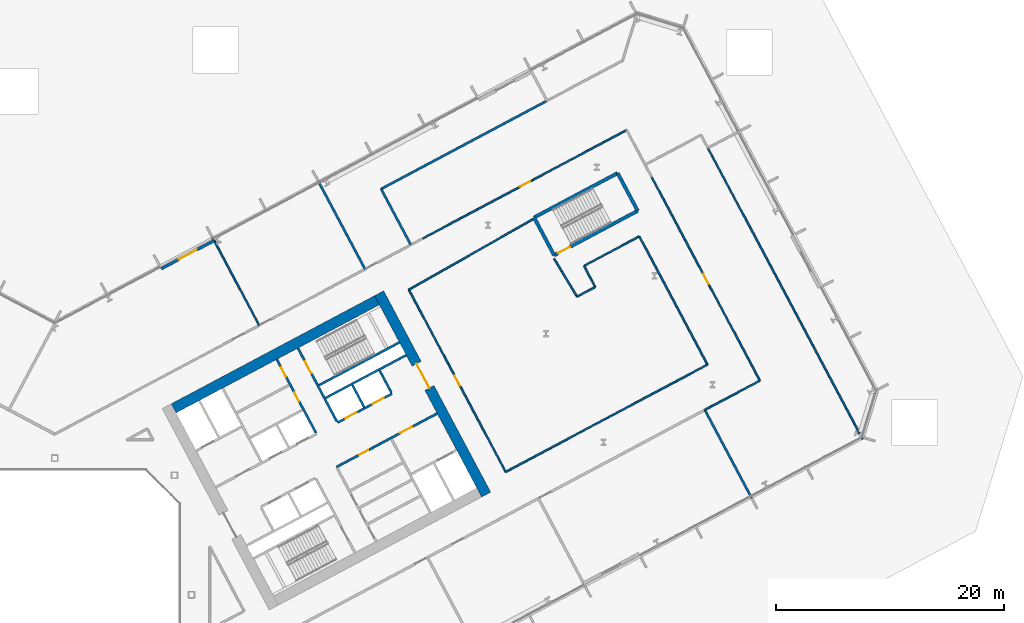
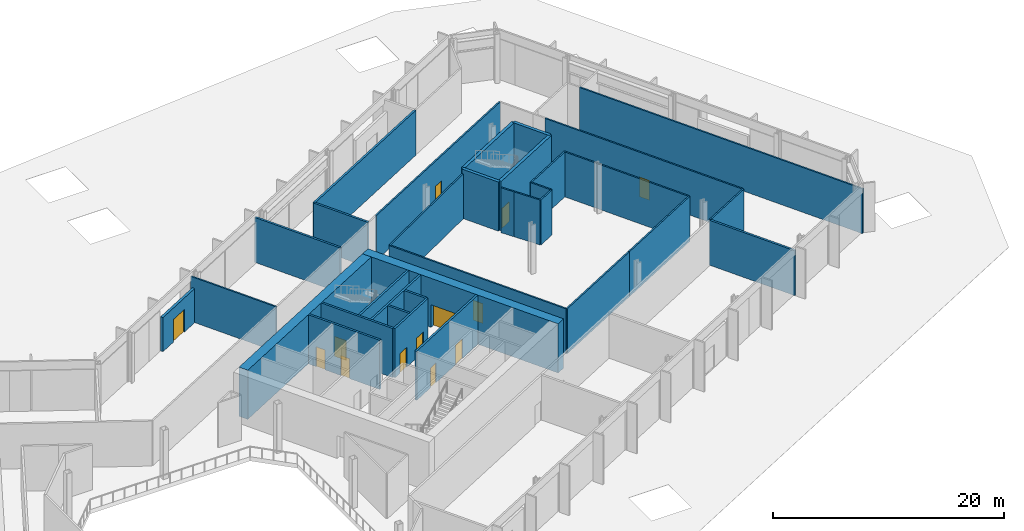
# One storey, part 16 of 30: 34 walls, 13 doors, 13 openings.
"""IFC4 building model written with IfcOpenShell, lengths in metres."""

import ifcopenshell
import ifcopenshell.guid

model = None  # the IFC model being written
_history = None  # IfcOwnerHistory: only IFC2X3 demands one
_inside = {}  # id of a spatial element -> (the spatial element, [elements in it])
_under = {}  # id of a project, library or spatial element -> (it, [spatial elements below it])
_declared = {}  # id of a project -> (the project, [libraries it declares])
_typed = {}  # id of a type object -> (the type object, [elements of that type])
_made_of = {}  # id of a material, layer set ... -> (it, [elements and type objects made of it])


def new_model(schema):
    """Start an empty IFC model of exactly this schema.

    Asked for "IFC4X3", IfcOpenShell would pick the latest addendum, in which some entities
    have other attributes; the version numbers below select the first issue.
    IFC2X3 requires an IfcOwnerHistory on every rooted entity: one is made here for all.
    """
    global model, _history
    if schema == "IFC4X3":
        model = ifcopenshell.file(schema_version=(4, 3, 0, 0))
    else:
        model = ifcopenshell.file(schema=schema)
    _inside.clear()
    _under.clear()
    _declared.clear()
    _typed.clear()
    _made_of.clear()
    _history = None
    if model.schema == "IFC2X3":
        org = make("IfcOrganization", Name="unknown")
        user = make(
            "IfcPersonAndOrganization",
            ThePerson=make("IfcPerson", FamilyName="unknown"),
            TheOrganization=org,
        )
        app = make(
            "IfcApplication",
            ApplicationDeveloper=org,
            Version="unknown",
            ApplicationFullName="unknown",
            ApplicationIdentifier="unknown",
        )
        _history = make(
            "IfcOwnerHistory",
            OwningUser=user,
            OwningApplication=app,
            ChangeAction="ADDED",
            CreationDate=0,
        )
    return model


def make(cls, **values):
    """One entity of the class cls with the attributes given. An attribute that is None is left unset."""
    return model.create_entity(
        cls, **{name: value for name, value in values.items() if value is not None}
    )


def rooted(cls, **values):
    """An entity with a GlobalId (a new one), such as an element, a storey or a relation."""
    return make(cls, GlobalId=ifcopenshell.guid.new(), OwnerHistory=_history, **values)


def si_unit(unit_type, name, prefix=None):
    """IfcSIUnit, for example si_unit("LENGTHUNIT", "METRE", prefix="MILLI")."""
    return make("IfcSIUnit", UnitType=unit_type, Prefix=prefix, Name=name)


def assignment(units):
    """IfcUnitAssignment: the units of a project."""
    return None if units is None else make("IfcUnitAssignment", Units=units)


def point(xyz):
    """IfcCartesianPoint."""
    return None if xyz is None else make("IfcCartesianPoint", Coordinates=xyz)


def direction(xyz):
    """IfcDirection."""
    return None if xyz is None else make("IfcDirection", DirectionRatios=xyz)


def frame(location, z_axis=None, x_axis=None):
    """IfcAxis2Placement3D, a coordinate frame: its origin and axes. An axis left out is left unset."""
    return make(
        "IfcAxis2Placement3D",
        Location=point(location),
        Axis=direction(z_axis),
        RefDirection=direction(x_axis),
    )


def frame_2d(location, x_axis=None):
    """IfcAxis2Placement2D, a coordinate frame in the plane: its origin and x axis."""
    return make(
        "IfcAxis2Placement2D", Location=point(location), RefDirection=direction(x_axis)
    )


def origin():
    """The frame at (0, 0, 0) with its axes left unset."""
    return frame((0.0, 0.0, 0.0))


def place(relative_to, where):
    """IfcLocalPlacement: puts the frame where relative to a parent placement (None: the world)."""
    return make(
        "IfcLocalPlacement", PlacementRelTo=relative_to, RelativePlacement=where
    )


def context(
    kind, dimensions, precision=None, world=None, true_north=None, identifier=None
):
    """IfcGeometricRepresentationContext, for example the 3D "Model" context."""
    return make(
        "IfcGeometricRepresentationContext",
        ContextIdentifier=identifier,
        ContextType=kind,
        CoordinateSpaceDimension=dimensions,
        Precision=precision,
        WorldCoordinateSystem=world,
        TrueNorth=true_north,
    )


def subcontext(parent, identifier, kind, view, scale=None):
    """IfcGeometricRepresentationSubContext, for example "Body" below "Model"."""
    return make(
        "IfcGeometricRepresentationSubContext",
        ContextIdentifier=identifier,
        ContextType=kind,
        ParentContext=parent,
        TargetScale=scale,
        TargetView=view,
    )


def project(units=None, contexts=None):
    """IfcProject with its units and contexts."""
    return rooted(
        "IfcProject",
        Name="project",
        RepresentationContexts=contexts,
        UnitsInContext=assignment(units),
    )


def spatial(cls, under=None, at=None, **own):
    """A site, building, storey or space (cls), placed at a placement, below another one or the project."""
    s = rooted(cls, ObjectPlacement=at, **own)
    if under is not None:
        _under.setdefault(under.id(), (under, []))[1].append(s)
    return s


def profile(cls, at=None, kind="AREA", **sizes):
    """A parametric profile (cls). Its sizes go by their IFC names, for example OverallWidth=200.0."""
    return make(cls, ProfileType=kind, Position=at, **sizes)


def rectangle(**sizes):
    """IfcRectangleProfileDef."""
    return profile("IfcRectangleProfileDef", **sizes)


def extrude(swept, where, along, depth):
    """IfcExtrudedAreaSolid: the profile swept, set in the frame where, extruded along a direction by depth."""
    return make(
        "IfcExtrudedAreaSolid",
        SweptArea=swept,
        Position=where,
        ExtrudedDirection=direction(along),
        Depth=depth,
    )


def shape(context_of_items, identifier, shape_type, items):
    """IfcShapeRepresentation: the items that make up one representation, for example the "Body"."""
    return make(
        "IfcShapeRepresentation",
        ContextOfItems=context_of_items,
        RepresentationIdentifier=identifier,
        RepresentationType=shape_type,
        Items=items,
    )


def material(Name=None, Category=None):
    """IfcMaterial."""
    return make("IfcMaterial", Name=Name, Category=Category)


def layer(
    of_material, thickness, ventilated=None, Name=None, Category=None, Priority=None
):
    """IfcMaterialLayer: one layer of a wall or slab, of a material (None: an air gap)."""
    return make(
        "IfcMaterialLayer",
        Material=of_material,
        LayerThickness=thickness,
        IsVentilated=ventilated,
        Name=Name,
        Category=Category,
        Priority=Priority,
    )


def layer_set(layers, Name=None):
    """IfcMaterialLayerSet."""
    return make("IfcMaterialLayerSet", MaterialLayers=layers, LayerSetName=Name)


def made_of(thing, what):
    """Note that an element or type object is made of a material, layer set ...; save() writes the relation."""
    if what is not None:
        _made_of.setdefault(what.id(), (what, []))[1].append(thing)
    return thing


def type_object(cls, material=None, **own):
    """A type object (cls), such as IfcWallType, which elements share."""
    return made_of(rooted(cls, **own), material)


def element(
    cls,
    number,
    at=None,
    inside=None,
    cuts=None,
    type_object=None,
    material=None,
    context=None,
    identifier="Body",
    shape_type=None,
    held_by="IfcProductDefinitionShape",
    body=None,
    shapes=None,
    **own,
):
    """One element of the class cls, such as IfcWall. Its Tag is "e" and its number.

    at: its placement. inside: the storey or other place that contains it. cuts: it is an
    opening in that element (IfcRelVoidsElement). A single representation is given by context,
    identifier, shape_type and body (its items); several are given by shapes. held_by: the class
    of the entity that holds the representations. save() writes the other relations.
    """
    e = rooted(cls, Tag="e%d" % number, ObjectPlacement=at, **own)
    if body is not None:
        shapes = [shape(context, identifier, shape_type, body)]
    if shapes is not None:
        e.Representation = make(held_by, Representations=shapes)
    if inside is not None:
        _inside.setdefault(inside.id(), (inside, []))[1].append(e)
    if cuts is not None:
        rooted(
            "IfcRelVoidsElement", RelatingBuildingElement=cuts, RelatedOpeningElement=e
        )
    if type_object is not None:
        _typed.setdefault(type_object.id(), (type_object, []))[1].append(e)
    return made_of(e, material)


def fill(opening, filler):
    """IfcRelFillsElement: the door or window that sits in an opening."""
    return rooted(
        "IfcRelFillsElement",
        RelatingOpeningElement=opening,
        RelatedBuildingElement=filler,
    )


def aggregate(whole, parts):
    """IfcRelAggregates: a whole, such as a stair, and the parts it consists of."""
    return rooted("IfcRelAggregates", RelatingObject=whole, RelatedObjects=parts)


def save(model, path):
    """Write the relations noted so far, then the file.

    IfcRelAggregates (storeys below a building ...), IfcRelContainedInSpatialStructure (elements
    in a storey), IfcRelDefinesByType, IfcRelAssociatesMaterial and IfcRelDeclares: one each for
    every whole, place, type object, material and project.
    """
    for whole, parts in _under.values():
        aggregate(whole, parts)
    for where, things in _inside.values():
        rooted(
            "IfcRelContainedInSpatialStructure",
            RelatedElements=things,
            RelatingStructure=where,
        )
    for kind, things in _typed.values():
        rooted("IfcRelDefinesByType", RelatedObjects=things, RelatingType=kind)
    for what, things in _made_of.values():
        rooted("IfcRelAssociatesMaterial", RelatedObjects=things, RelatingMaterial=what)
    for by, libraries in _declared.values():
        rooted("IfcRelDeclares", RelatingContext=by, RelatedDefinitions=libraries)
    model.write(path)


model = new_model("IFC4")

# Units and contexts
model_context = context("Model", 3, precision=1e-05, world=origin(), true_north=direction((0.0, 1.0)))
body_context = subcontext(model_context, "Body", "Model", "MODEL_VIEW")
ifc_project = project(units=[si_unit("LENGTHUNIT", "METRE"), si_unit("AREAUNIT", "SQUARE_METRE"), si_unit("VOLUMEUNIT", "CUBIC_METRE"), si_unit("PLANEANGLEUNIT", "RADIAN"), si_unit("MASSUNIT", "GRAM", prefix="KILO")], contexts=[model_context])

# Site, building, storey
site_placement = place(None, origin())
site = spatial("IfcSite", under=ifc_project, at=site_placement, CompositionType="ELEMENT")
building_placement = place(site_placement, origin())
building = spatial("IfcBuilding", under=site, at=building_placement, Name="Cormorant Relay Tower", CompositionType="ELEMENT")
storey_placement = place(building_placement, frame((0.0, 0.0, 7.0)))
storey = spatial("IfcBuildingStorey", under=building, at=storey_placement, Name="L01", CompositionType="ELEMENT", Elevation=7.0)

# Wall
ifc_material_1 = material(Name="Concrete 40 MPa", Category="concrete")
ifc_layer_1 = layer(ifc_material_1, 0.199951171875)
ifc_layer_set_1 = layer_set([ifc_layer_1], Name="Core internal wall 200")
wall_type_1 = type_object("IfcWallType", Name="Core internal wall 200", PredefinedType="SOLIDWALL", material=ifc_layer_set_1)
wall_1_placement = place(storey_placement, frame((27.144287109375, 16.471435546875, 0.0), z_axis=(0.0, 0.0, 1.0), x_axis=(-0.469401318492, 0.882984938828, 0.0)))
element("IfcWall", 1, at=wall_1_placement, inside=storey, type_object=wall_type_1, Name="L01 core B shaft and room wall", PredefinedType="SOLIDWALL", context=body_context, shape_type="SweptSolid", body=[
    extrude(rectangle(XDim=2.199951171875, YDim=0.199951171875, at=frame_2d((1.10009765625, 0.0))), origin(), (0.0, 0.0, 1.0), 5.199951171875),
])

# Wall, openings, doors
ifc_material_2 = material(Name="Concrete 50 MPa", Category="concrete")
ifc_layer_2 = layer(ifc_material_2, 0.199951171875)
ifc_layer_set_2 = layer_set([ifc_layer_2], Name="Core shaft wall 200")
wall_type_2 = type_object("IfcWallType", Name="Core shaft wall 200", PredefinedType="SHEAR", material=ifc_layer_set_2)
wall_2_placement = place(storey_placement, frame((22.90625, 14.218017578125, 0.0), z_axis=(0.0, 0.0, 1.0), x_axis=(-0.469480409012, 0.88294288918, 0.0)))
wall_2 = element("IfcWall", 2, at=wall_2_placement, inside=storey, type_object=wall_type_2, Name="L01 core B shaft wall", PredefinedType="SHEAR", context=body_context, shape_type="SweptSolid", body=[
    extrude(rectangle(XDim=7.300048828125, YDim=0.199951171875, at=frame_2d((3.64990234375, 0.0))), origin(), (0.0, 0.0, 1.0), 5.199951171875),
])
opening_1_placement = place(wall_2_placement, frame((3.10009765625, 0.0, 0.0)))
opening_1 = element("IfcOpeningElement", 3, at=opening_1_placement, cuts=wall_2, Name="Opening CDD-058", PredefinedType="OPENING", context=body_context, shape_type="SweptSolid", body=[
    extrude(rectangle(XDim=0.89990234375, YDim=2.10009765625, at=frame_2d((0.449951171875, 1.050048828125))), frame((0.0, 0.10986328125, 0.0), z_axis=(0.0, -1.0, 0.0), x_axis=(1.0, 0.0, 0.0)), (0.0, 0.0, 1.0), 0.219970703125),
])
opening_2_placement = place(wall_2_placement, frame((5.60009765625, 0.0, 0.0)))
opening_2 = element("IfcOpeningElement", 4, at=opening_2_placement, cuts=wall_2, Name="Opening CDD-059", PredefinedType="OPENING", context=body_context, shape_type="SweptSolid", body=[
    extrude(rectangle(XDim=0.89990234375, YDim=2.10009765625, at=frame_2d((0.449951171875, 1.050048828125))), frame((0.0, 0.10986328125, 0.0), z_axis=(0.0, -1.0, 0.0), x_axis=(1.0, 0.0, 0.0)), (0.0, 0.0, 1.0), 0.219970703125),
])
ifc_material_3 = material(Name="Steel fire door", Category="steel")
door_type_1 = type_object("IfcDoorType", Name="Core room door 900x2100", OperationType="SINGLE_SWING_LEFT", PredefinedType="DOOR", material=ifc_material_3)
door_1_placement = place(opening_1_placement, origin())
door_1 = element("IfcDoor", 5, at=door_1_placement, inside=storey, type_object=door_type_1, Name="Core room door 900x2100", OperationType="SINGLE_SWING_RIGHT", OverallHeight=2.10009765625, OverallWidth=0.89990234375, PredefinedType="DOOR", context=body_context, shape_type="SweptSolid", body=[
    extrude(rectangle(XDim=0.89990234375, YDim=2.10009765625, at=frame_2d((0.449951171875, 1.050048828125))), frame((0.0, 0.02490234375, 0.0), z_axis=(0.0, -1.0, 0.0), x_axis=(1.0, 0.0, 0.0)), (0.0, 0.0, 1.0), 0.050048828125),
])
fill(opening_1, door_1)
door_2_placement = place(opening_2_placement, origin())
door_2 = element("IfcDoor", 6, at=door_2_placement, inside=storey, type_object=door_type_1, Name="Core room door 900x2100", OperationType="SINGLE_SWING_LEFT", OverallHeight=2.10009765625, OverallWidth=0.89990234375, PredefinedType="DOOR", context=body_context, shape_type="SweptSolid", body=[
    extrude(rectangle(XDim=0.89990234375, YDim=2.10009765625, at=frame_2d((0.449951171875, 1.050048828125))), frame((0.0, 0.02490234375, 0.0), z_axis=(0.0, -1.0, 0.0), x_axis=(1.0, 0.0, 0.0)), (0.0, 0.0, 1.0), 0.050048828125),
])
fill(opening_2, door_2)

# Wall, opening, door
wall_3_placement = place(storey_placement, frame((24.760498046875, 15.2041015625, 0.0), z_axis=(0.0, 0.0, 1.0), x_axis=(-0.469494272526, 0.882935517501, 0.0)))
wall_3 = element("IfcWall", 7, at=wall_3_placement, inside=storey, type_object=wall_type_2, Name="L01 core B shaft wall", PredefinedType="SHEAR", context=body_context, shape_type="SweptSolid", body=[
    extrude(rectangle(XDim=7.2998046875, YDim=0.199951171875, at=frame_2d((3.64990234375, 0.0))), origin(), (0.0, 0.0, 1.0), 5.199951171875),
])
opening_3_placement = place(wall_3_placement, frame((4.800048828125, 0.0, 0.0)))
opening_3 = element("IfcOpeningElement", 8, at=opening_3_placement, cuts=wall_3, Name="Opening CDB-017", PredefinedType="OPENING", context=body_context, shape_type="SweptSolid", body=[
    extrude(rectangle(XDim=1.199951171875, YDim=2.10009765625, at=frame_2d((0.60009765625, 1.050048828125))), frame((0.0, 0.10986328125, 0.0), z_axis=(0.0, -1.0, 0.0), x_axis=(1.0, 0.0, 0.0)), (0.0, 0.0, 1.0), 0.219970703125),
])
ifc_material_4 = material(Name="Steel fire door", Category="steel")
door_type_2 = type_object("IfcDoorType", Name="Core stair door 1200x2100", OperationType="SINGLE_SWING_LEFT", PredefinedType="DOOR", material=ifc_material_4)
door_3_placement = place(opening_3_placement, frame((1.199951171875, 0.0, 0.0), z_axis=(0.0, 0.0, 1.0), x_axis=(-1.0, 0.0, 0.0)))
door_3 = element("IfcDoor", 9, at=door_3_placement, inside=storey, type_object=door_type_2, Name="Core stair door 1200x2100", OperationType="SINGLE_SWING_RIGHT", OverallHeight=2.10009765625, OverallWidth=1.199951171875, PredefinedType="DOOR", context=body_context, shape_type="SweptSolid", body=[
    extrude(rectangle(XDim=1.199951171875, YDim=2.10009765625, at=frame_2d((0.60009765625, 1.050048828125))), frame((0.0, 0.02490234375, 0.0), z_axis=(0.0, -1.0, 0.0), x_axis=(1.0, 0.0, 0.0)), (0.0, 0.0, 1.0), 0.050048828125),
])
fill(opening_3, door_3)

# Wall
wall_4_placement = place(storey_placement, frame((29.5283203125, 17.739013671875, 0.0), z_axis=(0.0, 0.0, 1.0), x_axis=(-0.469401318492, 0.882984938828, 0.0)))
element("IfcWall", 10, at=wall_4_placement, inside=storey, type_object=wall_type_2, Name="L01 core B shaft wall", PredefinedType="SHEAR", context=body_context, shape_type="SweptSolid", body=[
    extrude(rectangle(XDim=2.199951171875, YDim=0.199951171875, at=frame_2d((1.10009765625, 0.0))), origin(), (0.0, 0.0, 1.0), 5.199951171875),
])

# Wall, openings, doors
wall_5_placement = place(storey_placement, frame((24.72607421875, 11.2216796875, 0.0), z_axis=(0.0, 0.0, 1.0), x_axis=(0.882940221191, 0.469485426614, 0.0)))
wall_5 = element("IfcWall", 11, at=wall_5_placement, inside=storey, type_object=wall_type_2, Name="L01 core B shaft wall", PredefinedType="SHEAR", context=body_context, shape_type="SweptSolid", body=[
    extrude(rectangle(XDim=10.0, YDim=0.199951171875, at=frame_2d((5.0, 0.0))), origin(), (0.0, 0.0, 1.0), 5.199951171875),
])
opening_4_placement = place(wall_5_placement, frame((6.300048828125, 0.0, 0.0)))
opening_4 = element("IfcOpeningElement", 12, at=opening_4_placement, cuts=wall_5, Name="Opening CDC-012", PredefinedType="OPENING", context=body_context, shape_type="SweptSolid", body=[
    extrude(rectangle(XDim=1.199951171875, YDim=2.10009765625, at=frame_2d((0.60009765625, 1.050048828125))), frame((0.0, 0.10986328125, 0.0), z_axis=(0.0, -1.0, 0.0), x_axis=(1.0, 0.0, 0.0)), (0.0, 0.0, 1.0), 0.219970703125),
])
opening_5_placement = place(wall_5_placement, frame((2.25, 0.0, 0.0)))
opening_5 = element("IfcOpeningElement", 13, at=opening_5_placement, cuts=wall_5, Name="Opening CDD-057", PredefinedType="OPENING", context=body_context, shape_type="SweptSolid", body=[
    extrude(rectangle(XDim=0.89990234375, YDim=2.10009765625, at=frame_2d((0.449951171875, 1.050048828125))), frame((0.0, 0.10986328125, 0.0), z_axis=(0.0, -1.0, 0.0), x_axis=(1.0, 0.0, 0.0)), (0.0, 0.0, 1.0), 0.219970703125),
])
ifc_material_5 = material(Name="Steel fire door", Category="steel")
door_type_3 = type_object("IfcDoorType", Name="Core lobby door 1200x2100", OperationType="SINGLE_SWING_LEFT", PredefinedType="DOOR", material=ifc_material_5)
door_4_placement = place(opening_4_placement, frame((1.199951171875, 0.0, 0.0), z_axis=(0.0, 0.0, 1.0), x_axis=(-1.0, 0.0, 0.0)))
door_4 = element("IfcDoor", 14, at=door_4_placement, inside=storey, type_object=door_type_3, Name="Core lobby door 1200x2100", OperationType="SINGLE_SWING_RIGHT", OverallHeight=2.10009765625, OverallWidth=1.199951171875, PredefinedType="DOOR", context=body_context, shape_type="SweptSolid", body=[
    extrude(rectangle(XDim=1.199951171875, YDim=2.10009765625, at=frame_2d((0.60009765625, 1.050048828125))), frame((0.0, 0.02490234375, 0.0), z_axis=(0.0, -1.0, 0.0), x_axis=(1.0, 0.0, 0.0)), (0.0, 0.0, 1.0), 0.050048828125),
])
fill(opening_4, door_4)
door_5_placement = place(opening_5_placement, frame((0.89990234375, 0.0, 0.0), z_axis=(0.0, 0.0, 1.0), x_axis=(-1.0, 0.0, 0.0)))
door_5 = element("IfcDoor", 15, at=door_5_placement, inside=storey, type_object=door_type_1, Name="Core room door 900x2100", OperationType="SINGLE_SWING_RIGHT", OverallHeight=2.10009765625, OverallWidth=0.89990234375, PredefinedType="DOOR", context=body_context, shape_type="SweptSolid", body=[
    extrude(rectangle(XDim=0.89990234375, YDim=2.10009765625, at=frame_2d((0.449951171875, 1.050048828125))), frame((0.0, 0.02490234375, 0.0), z_axis=(0.0, -1.0, 0.0), x_axis=(1.0, 0.0, 0.0)), (0.0, 0.0, 1.0), 0.050048828125),
])
fill(opening_5, door_5)

wall_6_placement = place(storey_placement, frame((24.807373046875, 15.11572265625, 0.0), z_axis=(0.0, 0.0, 1.0), x_axis=(0.882942972946, 0.469480251476, 0.0)))
wall_6 = element("IfcWall", 16, at=wall_6_placement, inside=storey, type_object=wall_type_2, Name="L01 core B shaft wall", PredefinedType="SHEAR", context=body_context, shape_type="SweptSolid", body=[
    extrude(rectangle(XDim=5.39990234375, YDim=0.199951171875, at=frame_2d((2.699951171875, 0.0))), origin(), (0.0, 0.0, 1.0), 5.199951171875),
])
opening_6_placement = place(wall_6_placement, frame((0.800048828125, 0.0, 0.0)))
opening_6 = element("IfcOpeningElement", 17, at=opening_6_placement, cuts=wall_6, Name="Opening LD1-014", PredefinedType="OPENING", context=body_context, shape_type="SweptSolid", body=[
    extrude(rectangle(XDim=1.10009765625, YDim=2.10009765625, at=frame_2d((0.550048828125, 1.050048828125))), frame((0.0, 0.10986328125, 0.0), z_axis=(0.0, -1.0, 0.0), x_axis=(1.0, 0.0, 0.0)), (0.0, 0.0, 1.0), 0.219970703125),
])
opening_7_placement = place(wall_6_placement, frame((3.5, 0.0, 0.0)))
opening_7 = element("IfcOpeningElement", 18, at=opening_7_placement, cuts=wall_6, Name="Opening LD1-015", PredefinedType="OPENING", context=body_context, shape_type="SweptSolid", body=[
    extrude(rectangle(XDim=1.10009765625, YDim=2.10009765625, at=frame_2d((0.550048828125, 1.050048828125))), frame((0.0, 0.10986328125, 0.0), z_axis=(0.0, -1.0, 0.0), x_axis=(1.0, 0.0, 0.0)), (0.0, 0.0, 1.0), 0.219970703125),
])
ifc_material_6 = material(Name="Stainless steel 316", Category="steel")
door_type_4 = type_object("IfcDoorType", Name="Lift landing door 1100x2100", OperationType="DOUBLE_DOOR_SLIDING", PredefinedType="DOOR", material=ifc_material_6)
door_6_placement = place(opening_6_placement, origin())
door_6 = element("IfcDoor", 19, at=door_6_placement, inside=storey, type_object=door_type_4, Name="LR3 landing door", OperationType="DOUBLE_DOOR_SLIDING", OverallHeight=2.10009765625, OverallWidth=1.10009765625, PredefinedType="DOOR", context=body_context, shape_type="SweptSolid", body=[
    extrude(rectangle(XDim=1.10009765625, YDim=2.10009765625, at=frame_2d((0.550048828125, 1.050048828125))), frame((0.0, 0.02490234375, 0.0), z_axis=(0.0, -1.0, 0.0), x_axis=(1.0, 0.0, 0.0)), (0.0, 0.0, 1.0), 0.050048828125),
])
fill(opening_6, door_6)
door_7_placement = place(opening_7_placement, origin())
door_7 = element("IfcDoor", 20, at=door_7_placement, inside=storey, type_object=door_type_4, Name="LR4 landing door", OperationType="DOUBLE_DOOR_SLIDING", OverallHeight=2.10009765625, OverallWidth=1.10009765625, PredefinedType="DOOR", context=body_context, shape_type="SweptSolid", body=[
    extrude(rectangle(XDim=1.10009765625, YDim=2.10009765625, at=frame_2d((0.550048828125, 1.050048828125))), frame((0.0, 0.02490234375, 0.0), z_axis=(0.0, -1.0, 0.0), x_axis=(1.0, 0.0, 0.0)), (0.0, 0.0, 1.0), 0.050048828125),
])
fill(opening_7, door_7)

# Walls
wall_7_placement = place(storey_placement, frame((23.76904296875, 17.28173828125, 0.0), z_axis=(0.0, 0.0, 1.0), x_axis=(0.882940221191, 0.469485426614, 0.0)))
element("IfcWall", 21, at=wall_7_placement, inside=storey, type_object=wall_type_2, Name="L01 core B shaft wall", PredefinedType="SHEAR", context=body_context, shape_type="SweptSolid", body=[
    extrude(rectangle(XDim=8.0, YDim=0.199951171875, at=frame_2d((4.0, 0.0))), origin(), (0.0, 0.0, 1.0), 5.199951171875),
])
wall_8_placement = place(storey_placement, frame((23.18212890625, 18.385498046875, 0.0), z_axis=(0.0, 0.0, 1.0), x_axis=(0.88295287151, 0.469461634952, 0.0)))
element("IfcWall", 22, at=wall_8_placement, inside=storey, type_object=wall_type_2, Name="L01 core B shaft wall", PredefinedType="SHEAR", context=body_context, shape_type="SweptSolid", body=[
    extrude(rectangle(XDim=7.999755859375, YDim=0.199951171875, at=frame_2d((4.0, 0.0))), origin(), (0.0, 0.0, 1.0), 5.199951171875),
])

# Wall, opening, door
ifc_material_7 = material(Name="Concrete 70 MPa", Category="concrete")
ifc_layer_3 = layer(ifc_material_7, 0.89990234375)
ifc_layer_set_3 = layer_set([ifc_layer_3], Name="Core wall 900")
wall_type_3 = type_object("IfcWallType", Name="Core wall 900", PredefinedType="SHEAR", material=ifc_layer_set_3)
wall_9_placement = place(storey_placement, frame((37.849365234375, 8.799072265625, 0.0), z_axis=(0.0, 0.0, 1.0), x_axis=(-0.469465789982, 0.882950662289, 0.0)))
wall_9 = element("IfcWall", 23, at=wall_9_placement, inside=storey, type_object=wall_type_3, Name="L01 core B wall", PredefinedType="SHEAR", context=body_context, shape_type="SweptSolid", body=[
    extrude(rectangle(XDim=20.000244140625, YDim=0.89990234375, at=frame_2d((10.0, 0.0))), origin(), (0.0, 0.0, 1.0), 5.199951171875),
])
opening_8_placement = place(wall_9_placement, frame((10.60009765625, 0.0, 0.0)))
opening_8 = element("IfcOpeningElement", 24, at=opening_8_placement, cuts=wall_9, Name="Opening CDA-012", PredefinedType="OPENING", context=body_context, shape_type="SweptSolid", body=[
    extrude(rectangle(XDim=2.39990234375, YDim=2.39990234375, at=frame_2d((1.199951171875, 1.199951171875))), frame((0.0, 0.4599609375, 0.0), z_axis=(0.0, -1.0, 0.0), x_axis=(1.0, 0.0, 0.0)), (0.0, 0.0, 1.0), 0.919921875),
])
ifc_material_8 = material(Name="Steel fire door", Category="steel")
door_type_5 = type_object("IfcDoorType", Name="Core lobby door 2400x2400", OperationType="DOUBLE_DOOR_SINGLE_SWING", PredefinedType="DOOR", material=ifc_material_8)
door_8_placement = place(opening_8_placement, origin())
door_8 = element("IfcDoor", 25, at=door_8_placement, inside=storey, type_object=door_type_5, Name="Core lobby door 2400x2400", OperationType="DOUBLE_DOOR_SINGLE_SWING", OverallHeight=2.39990234375, OverallWidth=2.39990234375, PredefinedType="DOOR", context=body_context, shape_type="SweptSolid", body=[
    extrude(rectangle(XDim=2.39990234375, YDim=2.39990234375, at=frame_2d((1.199951171875, 1.199951171875))), frame((0.0, 0.02490234375, 0.0), z_axis=(0.0, -1.0, 0.0), x_axis=(1.0, 0.0, 0.0)), (0.0, 0.0, 1.0), 0.050048828125),
])
fill(opening_8, door_8)

# Walls
wall_10_placement = place(storey_placement, frame((10.4384765625, 16.3662109375, 0.0), z_axis=(0.0, 0.0, 1.0), x_axis=(0.88294509198, 0.469476266226, 0.0)))
element("IfcWall", 26, at=wall_10_placement, inside=storey, type_object=wall_type_3, Name="L01 core B wall", PredefinedType="SHEAR", context=body_context, shape_type="SweptSolid", body=[
    extrude(rectangle(XDim=20.199951171875, YDim=0.89990234375, at=frame_2d((10.10009765625, 0.0))), origin(), (0.0, 0.0, 1.0), 5.199951171875),
])
ifc_material_9 = material(Name="Fire-rated gypsum board partition")
ifc_layer_4 = layer(ifc_material_9, 0.199951171875)
ifc_layer_set_4 = layer_set([ifc_layer_4], Name="Fire-rated gypsum partition 200")
wall_type_4 = type_object("IfcWallType", Name="Fire-rated gypsum partition 200", PredefinedType="PARTITIONING", material=ifc_layer_set_4)
wall_11_placement = place(storey_placement, frame((23.116943359375, 36.302001953125, 0.0), z_axis=(0.0, 0.0, 1.0), x_axis=(0.469482945701, -0.882941540361, 0.0)))
element("IfcWall", 27, at=wall_11_placement, inside=storey, type_object=wall_type_4, Name="wall/L01/part/58", PredefinedType="PARTITIONING", context=body_context, shape_type="SweptSolid", body=[
    extrude(rectangle(XDim=8.75048828125, YDim=0.199951171875, at=frame_2d((4.375244140625, 0.0))), origin(), (0.0, 0.0, 1.0), 4.75),
])
wall_12_placement = place(storey_placement, frame((31.22998046875, 30.72607421875, 0.0), z_axis=(0.0, 0.0, 1.0), x_axis=(-0.469403649121, 0.882983699845, 0.0)))
element("IfcWall", 28, at=wall_12_placement, inside=storey, type_object=wall_type_4, Name="wall/L01/part/59", PredefinedType="PARTITIONING", context=body_context, shape_type="SweptSolid", body=[
    extrude(rectangle(XDim=5.532470703125, YDim=0.199951171875, at=frame_2d((2.76611328125, 0.0))), origin(), (0.0, 0.0, 1.0), 4.75),
])
wall_13_placement = place(storey_placement, frame((28.633056640625, 35.611083984375, 0.0), z_axis=(0.0, 0.0, 1.0), x_axis=(0.882947109015, 0.469472472762, 0.0)))
element("IfcWall", 29, at=wall_13_placement, inside=storey, type_object=wall_type_4, Name="wall/L01/part/60", PredefinedType="PARTITIONING", context=body_context, shape_type="SweptSolid", body=[
    extrude(rectangle(XDim=16.484375, YDim=0.199951171875, at=frame_2d((8.2421875, 0.0))), origin(), (0.0, 0.0, 1.0), 4.75),
])
wall_14_placement = place(storey_placement, frame((57.033935546875, 16.22509765625, 0.0), z_axis=(0.0, 0.0, 1.0), x_axis=(0.469482945701, -0.882941540361, 0.0)))
element("IfcWall", 30, at=wall_14_placement, inside=storey, type_object=wall_type_4, Name="wall/L01/part/74", PredefinedType="PARTITIONING", context=body_context, shape_type="SweptSolid", body=[
    extrude(rectangle(XDim=8.75048828125, YDim=0.199951171875, at=frame_2d((4.375244140625, 0.0))), origin(), (0.0, 0.0, 1.0), 4.75),
])

# Wall, opening, door
ifc_material_10 = material(Name="Bronze anodised aluminium cladding on steel stud", Category="steel")
ifc_layer_5 = layer(ifc_material_10, 0.25)
ifc_layer_set_5 = layer_set([ifc_layer_5], Name="Garden entrance wall 250")
wall_type_5 = type_object("IfcWallType", Name="Garden entrance wall 250", PredefinedType="STANDARD", material=ifc_layer_set_5)
wall_15_placement = place(storey_placement, frame((13.9853515625, 31.07861328125, 0.0), z_axis=(0.0, 0.0, 1.0), x_axis=(-0.88293709965, -0.469491297111, 0.0)))
wall_15 = element("IfcWall", 31, at=wall_15_placement, inside=storey, type_object=wall_type_5, Name="Garden entrance wall", PredefinedType="STANDARD", context=body_context, shape_type="SweptSolid", body=[
    extrude(rectangle(XDim=5.2578125, YDim=0.25, at=frame_2d((2.62890625, 0.0))), origin(), (0.0, 0.0, 1.0), 3.612060546875),
])
opening_9_placement = place(wall_15_placement, frame((1.728759765625, 0.0, 0.0)))
opening_9 = element("IfcOpeningElement", 32, at=opening_9_placement, cuts=wall_15, Name="Opening PD7-005", PredefinedType="OPENING", context=body_context, shape_type="SweptSolid", body=[
    extrude(rectangle(XDim=1.800048828125, YDim=2.39990234375, at=frame_2d((0.89990234375, 1.199951171875))), frame((0.0, 0.135009765625, 0.0), z_axis=(0.0, -1.0, 0.0), x_axis=(1.0, 0.0, 0.0)), (0.0, 0.0, 1.0), 0.27001953125),
])
ifc_material_11 = material(Name="Bronze framed glass door", Category="glass")
door_type_6 = type_object("IfcDoorType", Name="Door garden glazed 1800", OperationType="DOUBLE_DOOR_SINGLE_SWING", PredefinedType="DOOR", material=ifc_material_11)
door_9_placement = place(opening_9_placement, frame((1.800048828125, 0.0, 0.0), z_axis=(0.0, 0.0, 1.0), x_axis=(-1.0, 0.0, 0.0)))
door_9 = element("IfcDoor", 33, at=door_9_placement, inside=storey, type_object=door_type_6, Name="Garden door", OperationType="DOUBLE_DOOR_SINGLE_SWING", OverallHeight=2.39990234375, OverallWidth=1.800048828125, PredefinedType="DOOR", context=body_context, shape_type="SweptSolid", body=[
    extrude(rectangle(XDim=1.800048828125, YDim=2.39990234375, at=frame_2d((0.89990234375, 1.199951171875))), frame((0.0, 0.02490234375, 0.0), z_axis=(0.0, -1.0, 0.0), x_axis=(1.0, 0.0, 0.0)), (0.0, 0.0, 1.0), 0.050048828125),
])
fill(opening_9, door_9)

# Wall
ifc_material_12 = material(Name="Gypsum board partition")
ifc_layer_6 = layer(ifc_material_12, 0.14990234375)
ifc_layer_set_6 = layer_set([ifc_layer_6], Name="Gypsum board partition 150")
wall_type_6 = type_object("IfcWallType", Name="Gypsum board partition 150", PredefinedType="PARTITIONING", material=ifc_layer_set_6)
wall_16_placement = place(storey_placement, frame((13.833984375, 31.365966796875, 0.0), z_axis=(0.0, 0.0, 1.0), x_axis=(0.469374180568, -0.882999365014, 0.0)))
element("IfcWall", 34, at=wall_16_placement, inside=storey, type_object=wall_type_6, Name="wall/L01/part/49", PredefinedType="PARTITIONING", context=body_context, shape_type="SweptSolid", body=[
    extrude(rectangle(XDim=8.749755859375, YDim=0.14990234375, at=frame_2d((4.375, 0.0))), origin(), (0.0, 0.0, 1.0), 4.75),
])

# Wall, opening, door
wall_17_placement = place(storey_placement, frame((32.30810546875, 31.279052734375, 0.0), z_axis=(0.0, 0.0, 1.0), x_axis=(0.882939951573, 0.469485933673, 0.0)))
wall_17 = element("IfcWall", 35, at=wall_17_placement, inside=storey, type_object=wall_type_6, Name="wall/L01/part/61", PredefinedType="PARTITIONING", context=body_context, shape_type="SweptSolid", body=[
    extrude(rectangle(XDim=20.239013671875, YDim=0.14990234375, at=frame_2d((10.11962890625, 0.0))), origin(), (0.0, 0.0, 1.0), 4.75),
])
opening_10_placement = place(wall_17_placement, frame((9.64990234375, 0.0, 0.0)))
opening_10 = element("IfcOpeningElement", 36, at=opening_10_placement, cuts=wall_17, Name="Opening D1-009", PredefinedType="OPENING", context=body_context, shape_type="SweptSolid", body=[
    extrude(rectangle(XDim=1.0, YDim=2.10009765625, at=frame_2d((0.5, 1.050048828125))), frame((0.0, 0.0849609375, 0.0), z_axis=(0.0, -1.0, 0.0), x_axis=(1.0, 0.0, 0.0)), (0.0, 0.0, 1.0), 0.169921875),
])
ifc_material_13 = material(Name="Painted steel door", Category="steel")
door_type_7 = type_object("IfcDoorType", Name="Single door 1000 x 2100", OperationType="SINGLE_SWING_LEFT", PredefinedType="DOOR", material=ifc_material_13)
door_10_placement = place(opening_10_placement, origin())
door_10 = element("IfcDoor", 37, at=door_10_placement, inside=storey, type_object=door_type_7, Name="door/L01/8", OperationType="SINGLE_SWING_LEFT", OverallHeight=2.10009765625, OverallWidth=1.0, PredefinedType="DOOR", context=body_context, shape_type="SweptSolid", body=[
    extrude(rectangle(XDim=1.0, YDim=2.10009765625, at=frame_2d((0.5, 1.050048828125))), frame((0.0, 0.02490234375, 0.0), z_axis=(0.0, -1.0, 0.0), x_axis=(1.0, 0.0, 0.0)), (0.0, 0.0, 1.0), 0.050048828125),
])
fill(opening_10, door_10)

# Wall
wall_18_placement = place(storey_placement, frame((48.541015625, 15.56005859375, 0.0), z_axis=(0.0, 0.0, 1.0), x_axis=(-0.882933406877, -0.469498241765, 0.0)))
element("IfcWall", 38, at=wall_18_placement, inside=storey, type_object=wall_type_6, Name="wall/L01/part/65", PredefinedType="PARTITIONING", context=body_context, shape_type="SweptSolid", body=[
    extrude(rectangle(XDim=10.1640625, YDim=0.14990234375, at=frame_2d((5.08203125, 0.0))), origin(), (0.0, 0.0, 1.0), 4.75),
])

# Wall, opening, door
wall_19_placement = place(storey_placement, frame((39.56689453125, 10.7880859375, 0.0), z_axis=(0.0, 0.0, 1.0), x_axis=(-0.469474056812, 0.882946266757, 0.0)))
wall_19 = element("IfcWall", 39, at=wall_19_placement, inside=storey, type_object=wall_type_6, Name="wall/L01/part/66", PredefinedType="PARTITIONING", context=body_context, shape_type="SweptSolid", body=[
    extrude(rectangle(XDim=18.1005859375, YDim=0.14990234375, at=frame_2d((9.05029296875, 0.0))), origin(), (0.0, 0.0, 1.0), 4.75),
])
opening_11_placement = place(wall_19_placement, frame((8.550048828125, 0.0, 0.0)))
opening_11 = element("IfcOpeningElement", 40, at=opening_11_placement, cuts=wall_19, Name="Opening D1-007", PredefinedType="OPENING", context=body_context, shape_type="SweptSolid", body=[
    extrude(rectangle(XDim=1.0, YDim=2.10009765625, at=frame_2d((0.5, 1.050048828125))), frame((0.0, 0.0849609375, 0.0), z_axis=(0.0, -1.0, 0.0), x_axis=(1.0, 0.0, 0.0)), (0.0, 0.0, 1.0), 0.169921875),
])
door_11_placement = place(opening_11_placement, origin())
door_11 = element("IfcDoor", 41, at=door_11_placement, inside=storey, type_object=door_type_7, Name="door/L01/22", OperationType="SINGLE_SWING_RIGHT", OverallHeight=2.10009765625, OverallWidth=1.0, PredefinedType="DOOR", context=body_context, shape_type="SweptSolid", body=[
    extrude(rectangle(XDim=1.0, YDim=2.10009765625, at=frame_2d((0.5, 1.050048828125))), frame((0.0, 0.02490234375, 0.0), z_axis=(0.0, -1.0, 0.0), x_axis=(1.0, 0.0, 0.0)), (0.0, 0.0, 1.0), 0.050048828125),
])
fill(opening_11, door_11)

# Walls
wall_20_placement = place(storey_placement, frame((31.069091796875, 26.77001953125, 0.0), z_axis=(0.0, 0.0, 1.0), x_axis=(0.86954617394, 0.493851649168, 0.0)))
element("IfcWall", 42, at=wall_20_placement, inside=storey, type_object=wall_type_6, Name="wall/L01/part/67", PredefinedType="PARTITIONING", context=body_context, shape_type="SweptSolid", body=[
    extrude(rectangle(XDim=12.55029296875, YDim=0.14990234375, at=frame_2d((6.275146484375, 0.0))), origin(), (0.0, 0.0, 1.0), 4.75),
])
wall_21_placement = place(storey_placement, frame((43.81591796875, 29.490966796875, 0.0), z_axis=(0.0, 0.0, 1.0), x_axis=(0.518473208291, -0.855093873376, 0.0)))
element("IfcWall", 43, at=wall_21_placement, inside=storey, type_object=wall_type_6, Name="wall/L01/part/71", PredefinedType="PARTITIONING", context=body_context, shape_type="SweptSolid", body=[
    extrude(rectangle(XDim=1.324951171875, YDim=0.14990234375, at=frame_2d((0.66259765625, 0.0))), origin(), (0.0, 0.0, 1.0), 4.75),
])
wall_22_placement = place(storey_placement, frame((45.8310546875, 26.1669921875, 0.0), z_axis=(0.0, 0.0, 1.0), x_axis=(-0.518386189645, 0.855146629757, 0.0)))
element("IfcWall", 44, at=wall_22_placement, inside=storey, type_object=wall_type_6, Name="wall/L01/part/72", PredefinedType="PARTITIONING", context=body_context, shape_type="SweptSolid", body=[
    extrude(rectangle(XDim=2.56201171875, YDim=0.14990234375, at=frame_2d((1.281005859375, 0.0))), origin(), (0.0, 0.0, 1.0), 4.75),
])
wall_23_placement = place(storey_placement, frame((47.419921875, 27.011962890625, 0.0), z_axis=(0.0, 0.0, 1.0), x_axis=(-0.882911879422, -0.469538723829, 0.0)))
element("IfcWall", 45, at=wall_23_placement, inside=storey, type_object=wall_type_6, Name="wall/L01/part/73", PredefinedType="PARTITIONING", context=body_context, shape_type="SweptSolid", body=[
    extrude(rectangle(XDim=1.799560546875, YDim=0.14990234375, at=frame_2d((0.89990234375, 0.0))), origin(), (0.0, 0.0, 1.0), 4.75),
])
wall_24_placement = place(storey_placement, frame((46.43408203125, 28.865966796875, 0.0), z_axis=(0.0, 0.0, 1.0), x_axis=(0.882942083458, 0.469481924316, 0.0)))
element("IfcWall", 46, at=wall_24_placement, inside=storey, type_object=wall_type_6, Name="wall/L01/part/75", PredefinedType="PARTITIONING", context=body_context, shape_type="SweptSolid", body=[
    extrude(rectangle(XDim=5.499755859375, YDim=0.14990234375, at=frame_2d((2.75, 0.0))), origin(), (0.0, 0.0, 1.0), 4.75),
])
wall_25_placement = place(storey_placement, frame((51.2900390625, 31.447998046875, 0.0), z_axis=(0.0, 0.0, 1.0), x_axis=(0.469459757109, -0.882953869947, 0.0)))
element("IfcWall", 47, at=wall_25_placement, inside=storey, type_object=wall_type_6, Name="wall/L01/part/76", PredefinedType="PARTITIONING", context=body_context, shape_type="SweptSolid", body=[
    extrude(rectangle(XDim=12.738037109375, YDim=0.14990234375, at=frame_2d((6.369140625, 0.0))), origin(), (0.0, 0.0, 1.0), 4.75),
])
wall_26_placement = place(storey_placement, frame((57.27001953125, 20.200927734375, 0.0), z_axis=(0.0, 0.0, 1.0), x_axis=(-0.882965394181, -0.469438081837, 0.0)))
element("IfcWall", 48, at=wall_26_placement, inside=storey, type_object=wall_type_6, Name="wall/L01/part/77", PredefinedType="PARTITIONING", context=body_context, shape_type="SweptSolid", body=[
    extrude(rectangle(XDim=9.885986328125, YDim=0.14990234375, at=frame_2d((4.94287109375, 0.0))), origin(), (0.0, 0.0, 1.0), 4.75),
])
wall_27_placement = place(storey_placement, frame((47.419921875, 27.011962890625, 0.0), z_axis=(0.0, 0.0, 1.0), x_axis=(-0.469489562011, 0.882938022266, 0.0)))
element("IfcWall", 49, at=wall_27_placement, inside=storey, type_object=wall_type_6, Name="wall/L01/part/78", PredefinedType="PARTITIONING", context=body_context, shape_type="SweptSolid", body=[
    extrude(rectangle(XDim=2.099853515625, YDim=0.14990234375, at=frame_2d((1.0498046875, 0.0))), origin(), (0.0, 0.0, 1.0), 4.75),
])
wall_28_placement = place(storey_placement, frame((57.041015625, 16.22900390625, 0.0), z_axis=(0.0, 0.0, 1.0), x_axis=(0.882918476145, 0.469526319265, 0.0)))
element("IfcWall", 50, at=wall_28_placement, inside=storey, type_object=wall_type_6, Name="wall/L01/part/83", PredefinedType="PARTITIONING", context=body_context, shape_type="SweptSolid", body=[
    extrude(rectangle(XDim=5.467041015625, YDim=0.14990234375, at=frame_2d((2.7333984375, 0.0))), origin(), (0.0, 0.0, 1.0), 4.75),
])

# Wall, opening, door
wall_29_placement = place(storey_placement, frame((52.365966796875, 36.6650390625, 0.0), z_axis=(0.0, 0.0, 1.0), x_axis=(0.469480933333, -0.882942610387, 0.0)))
wall_29 = element("IfcWall", 51, at=wall_29_placement, inside=storey, type_object=wall_type_6, Name="wall/L01/part/84", PredefinedType="PARTITIONING", context=body_context, shape_type="SweptSolid", body=[
    extrude(rectangle(XDim=20.2392578125, YDim=0.14990234375, at=frame_2d((10.11962890625, 0.0))), origin(), (0.0, 0.0, 1.0), 4.75),
])
opening_12_placement = place(wall_29_placement, frame((9.64990234375, 0.0, 0.0)))
opening_12 = element("IfcOpeningElement", 52, at=opening_12_placement, cuts=wall_29, Name="Opening D1-008", PredefinedType="OPENING", context=body_context, shape_type="SweptSolid", body=[
    extrude(rectangle(XDim=1.0, YDim=2.10009765625, at=frame_2d((0.5, 1.050048828125))), frame((0.0, 0.0849609375, 0.0), z_axis=(0.0, -1.0, 0.0), x_axis=(1.0, 0.0, 0.0)), (0.0, 0.0, 1.0), 0.169921875),
])
door_12_placement = place(opening_12_placement, origin())
door_12 = element("IfcDoor", 53, at=door_12_placement, inside=storey, type_object=door_type_7, Name="door/L01/7", OperationType="SINGLE_SWING_LEFT", OverallHeight=2.10009765625, OverallWidth=1.0, PredefinedType="DOOR", context=body_context, shape_type="SweptSolid", body=[
    extrude(rectangle(XDim=1.0, YDim=2.10009765625, at=frame_2d((0.5, 1.050048828125))), frame((0.0, 0.02490234375, 0.0), z_axis=(0.0, -1.0, 0.0), x_axis=(1.0, 0.0, 0.0)), (0.0, 0.0, 1.0), 0.050048828125),
])
fill(opening_12, door_12)

# Walls
wall_30_placement = place(storey_placement, frame((57.299072265625, 39.2080078125, 0.0), z_axis=(0.0, 0.0, 1.0), x_axis=(0.469480728433, -0.882942719337, 0.0)))
element("IfcWall", 54, at=wall_30_placement, inside=storey, type_object=wall_type_6, Name="wall/L01/part/85", PredefinedType="PARTITIONING", context=body_context, shape_type="SweptSolid", body=[
    extrude(rectangle(XDim=28.93408203125, YDim=0.14990234375, at=frame_2d((14.467041015625, 0.0))), origin(), (0.0, 0.0, 1.0), 4.75),
])
ifc_material_14 = material(Name="Concrete 50 MPa", Category="concrete")
ifc_layer_7 = layer(ifc_material_14, 0.300048828125)
ifc_layer_set_7 = layer_set([ifc_layer_7], Name="Remote stair wall 300")
wall_type_7 = type_object("IfcWallType", Name="Remote stair wall 300", PredefinedType="SHEAR", material=ifc_layer_set_7)
wall_31_placement = place(storey_placement, frame((49.384033203125, 37.00390625, 0.0), z_axis=(0.0, 0.0, 1.0), x_axis=(0.46946936446, -0.882948761726, 0.0)))
element("IfcWall", 55, at=wall_31_placement, inside=storey, type_object=wall_type_7, Name="L01 exit stair RB1 wall", PredefinedType="SHEAR", context=body_context, shape_type="SweptSolid", body=[
    extrude(rectangle(XDim=3.75, YDim=0.300048828125, at=frame_2d((1.875, 0.0))), origin(), (0.0, 0.0, 1.0), 5.199951171875),
])

# Wall, opening, door
wall_32_placement = place(storey_placement, frame((51.14453125, 33.69287109375, 0.0), z_axis=(0.0, 0.0, 1.0), x_axis=(-0.882945809314, -0.469474917132, 0.0)))
wall_32 = element("IfcWall", 56, at=wall_32_placement, inside=storey, type_object=wall_type_7, Name="L01 exit stair RB1 wall", PredefinedType="SHEAR", context=body_context, shape_type="SweptSolid", body=[
    extrude(rectangle(XDim=8.30029296875, YDim=0.300048828125, at=frame_2d((4.150146484375, 0.0))), origin(), (0.0, 0.0, 1.0), 5.199951171875),
])
opening_13_placement = place(wall_32_placement, frame((6.72509765625, 0.0, 0.0)))
opening_13 = element("IfcOpeningElement", 57, at=opening_13_placement, cuts=wall_32, Name="Opening CDB-018", PredefinedType="OPENING", context=body_context, shape_type="SweptSolid", body=[
    extrude(rectangle(XDim=1.199951171875, YDim=2.10009765625, at=frame_2d((0.60009765625, 1.050048828125))), frame((0.0, 0.159912109375, 0.0), z_axis=(0.0, -1.0, 0.0), x_axis=(1.0, 0.0, 0.0)), (0.0, 0.0, 1.0), 0.320068359375),
])
door_13_placement = place(opening_13_placement, frame((1.199951171875, 0.0, 0.0), z_axis=(0.0, 0.0, 1.0), x_axis=(-1.0, 0.0, 0.0)))
door_13 = element("IfcDoor", 58, at=door_13_placement, inside=storey, type_object=door_type_2, Name="Exit stair RB1 door", OperationType="SINGLE_SWING_LEFT", OverallHeight=2.10009765625, OverallWidth=1.199951171875, PredefinedType="DOOR", context=body_context, shape_type="SweptSolid", body=[
    extrude(rectangle(XDim=1.199951171875, YDim=2.10009765625, at=frame_2d((0.60009765625, 1.050048828125))), frame((0.0, 0.02490234375, 0.0), z_axis=(0.0, -1.0, 0.0), x_axis=(1.0, 0.0, 0.0)), (0.0, 0.0, 1.0), 0.050048828125),
])
fill(opening_13, door_13)

# Walls
wall_33_placement = place(storey_placement, frame((43.81591796875, 29.796142578125, 0.0), z_axis=(0.0, 0.0, 1.0), x_axis=(-0.46946936446, 0.882948761726, 0.0)))
element("IfcWall", 59, at=wall_33_placement, inside=storey, type_object=wall_type_7, Name="L01 exit stair RB1 wall", PredefinedType="SHEAR", context=body_context, shape_type="SweptSolid", body=[
    extrude(rectangle(XDim=3.75, YDim=0.300048828125, at=frame_2d((1.875, 0.0))), origin(), (0.0, 0.0, 1.0), 5.199951171875),
])
wall_34_placement = place(storey_placement, frame((42.055419921875, 33.107177734375, 0.0), z_axis=(0.0, 0.0, 1.0), x_axis=(0.882945809314, 0.469474917132, 0.0)))
element("IfcWall", 60, at=wall_34_placement, inside=storey, type_object=wall_type_7, Name="L01 exit stair RB1 wall", PredefinedType="SHEAR", context=body_context, shape_type="SweptSolid", body=[
    extrude(rectangle(XDim=8.30029296875, YDim=0.300048828125, at=frame_2d((4.150146484375, 0.0))), origin(), (0.0, 0.0, 1.0), 5.199951171875),
])

save(model, "model.ifc")
